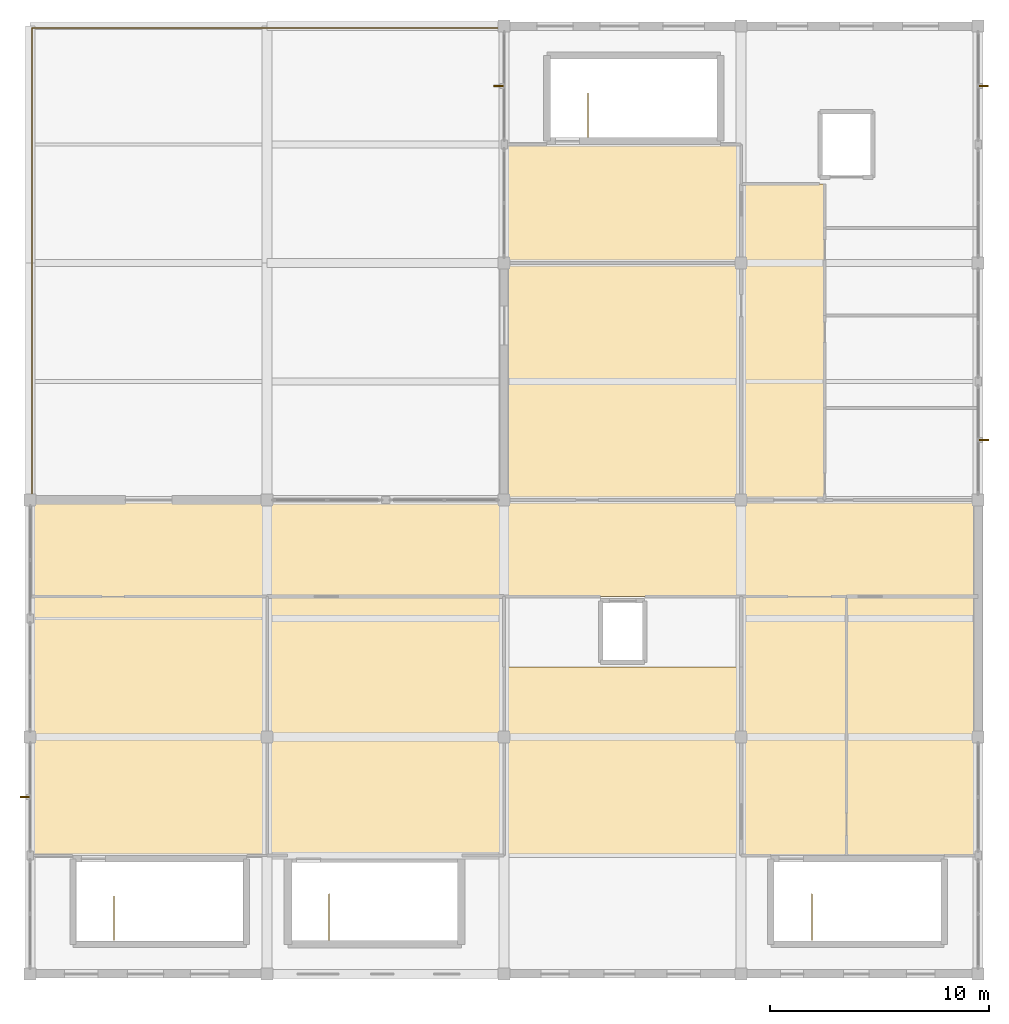
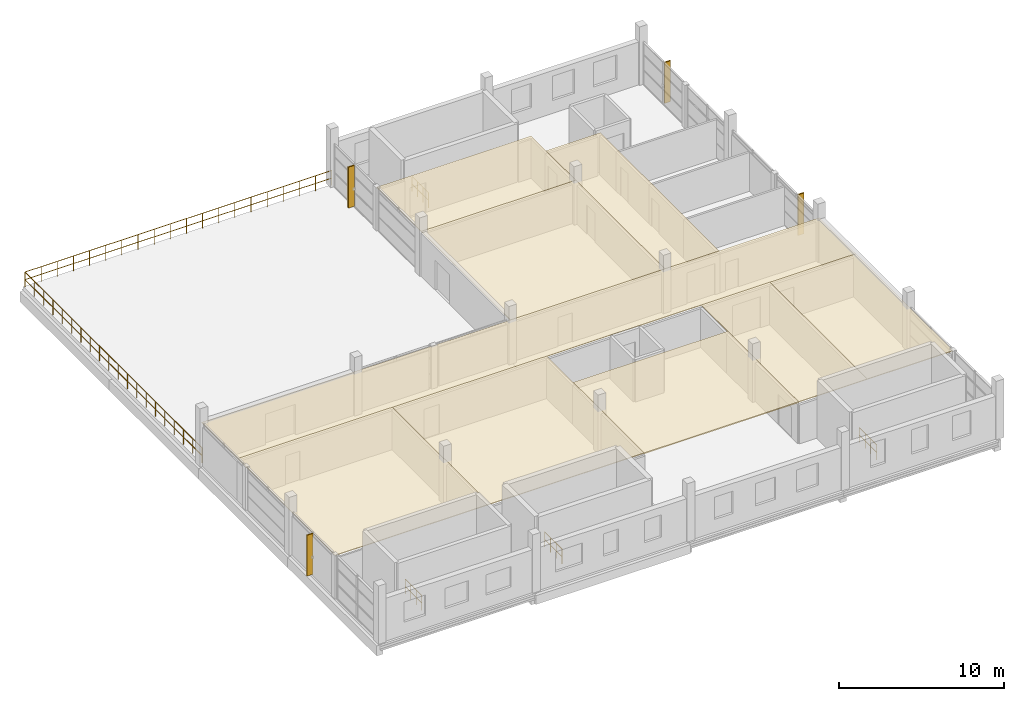
# One storey, part 15 of 15: 9 coverings, 5 railings, 4 shading devices.
"""IFC4 building model written with IfcOpenShell, lengths in metres."""

from ifc_helpers import new_model, si_unit, direction, frame, origin, origin_2d, place, context, subcontext, project, spatial, polyline, rectangle, circle, outline, extrude, material, layer, layer_set, type_object, element, save


model = new_model("IFC4")

# Units and contexts
model_context = context("Model", 3, precision=1e-05, world=origin(), true_north=direction((0.0, 1.0)))
body_context = subcontext(model_context, "Body", "Model", "MODEL_VIEW")
ifc_project = project(units=[si_unit("LENGTHUNIT", "METRE"), si_unit("AREAUNIT", "SQUARE_METRE"), si_unit("VOLUMEUNIT", "CUBIC_METRE"), si_unit("PLANEANGLEUNIT", "RADIAN"), si_unit("MASSUNIT", "GRAM", prefix="KILO")], contexts=[model_context])

# Site, building, storey
site_placement = place(None, origin())
site = spatial("IfcSite", under=ifc_project, at=site_placement, CompositionType="ELEMENT")
building_placement = place(site_placement, origin())
building = spatial("IfcBuilding", under=site, at=building_placement, Name="Zwinboog Wholesale Market", CompositionType="ELEMENT")
storey_placement = place(building_placement, frame((0.0, 0.0, 14.760009765625)))
storey = spatial("IfcBuildingStorey", under=building, at=storey_placement, Name="L03", CompositionType="ELEMENT", Elevation=14.760009765625)

# Shading devices
ifc_material_1 = material(Name="Western red cedar timber", Category="wood")
shading_device_type = type_object("IfcShadingDeviceType", Name="SHD-FIN-CEDAR", PredefinedType="USERDEFINED", material=ifc_material_1)
for number, where, z_axis, x_axis, name in (
    (1, (129.344970703125, 8.06494140625, 0.080078125), (0.0, 0.0, 1.0), (1.0, 0.0, 0.0), "FN-01 (SHD-FIN-047)"),
    (2, (150.945068359375, 40.465087890625, 0.080078125), (0.0, 0.0, 1.0), (1.0, 0.0, 0.0), "FN-01 (SHD-FIN-048)"),
    (3, (173.070068359375, 24.3349609375, 0.080078125), (0.0, 0.0, 1.0), (1.0, 0.0, 0.0), "FN-01 (SHD-FIN-049)"),
    (4, (173.054931640625, 40.465087890625, 0.080078125), (0.0, 0.0, 1.0), (1.0, 0.0, 0.0), "FN-01 (SHD-FIN-050)"),
):
    element("IfcShadingDevice", number, at=place(storey_placement, frame(where, z_axis=z_axis, x_axis=x_axis)), inside=storey, type_object=shading_device_type, Name=name, ObjectType="FIN", PredefinedType="USERDEFINED", context=body_context, shape_type="SweptSolid", body=[
        extrude(rectangle(XDim=0.419921875, YDim=0.0849609375, at=origin_2d()), origin(), (0.0, 0.0, 1.0), 3.02001953125),
    ])

# Railings
ifc_material_2 = material(Name="Steel S355", Category="steel")
railing_type_1 = type_object("IfcRailingType", Name="RLT-EXT-GUARD", PredefinedType="BALUSTRADE", material=ifc_material_2)
railing_1_placement = place(storey_placement, frame((129.679931640625, 21.679931640625, 0.0)))
element("IfcRailing", 5, at=railing_1_placement, inside=storey, type_object=railing_type_1, Name="GR-01 (RLG-EXT-10)", PredefinedType="BALUSTRADE", context=body_context, shape_type="SweptSolid", body=[
    extrude(circle(Radius=0.02392578125, at=origin_2d()), frame((0.0, 0.0, 1.09619140625), z_axis=(0.0, 1.0, 0.0), x_axis=(-1.0, 0.0, 0.0)), (0.0, 0.0, 1.0), 21.440185546875),
    extrude(circle(Radius=0.02392578125, at=origin_2d()), frame((0.0, 0.0, 0.5361328125), z_axis=(0.0, 1.0, 0.0), x_axis=(-1.0, 0.0, 0.0)), (0.0, 0.0, 1.0), 21.440185546875),
    extrude(circle(Radius=0.02392578125, at=origin_2d()), frame((0.0, 21.440185546875, 1.09619140625), z_axis=(1.0, 0.0, 0.0), x_axis=(0.0, 1.0, 0.0)), (0.0, 0.0, 1.0), 21.440185546875),
    extrude(circle(Radius=0.02392578125, at=origin_2d()), frame((0.0, 21.440185546875, 0.5361328125), z_axis=(1.0, 0.0, 0.0), x_axis=(0.0, 1.0, 0.0)), (0.0, 0.0, 1.0), 21.440185546875),
    extrude(circle(Radius=0.02099609375, at=origin_2d()), origin(), (0.0, 0.0, 1.0), 1.072021484375),
    extrude(circle(Radius=0.02099609375, at=origin_2d()), frame((0.0, 1.12841796875, 0.0)), (0.0, 0.0, 1.0), 1.072021484375),
    extrude(circle(Radius=0.02099609375, at=origin_2d()), frame((0.0, 2.2568359375, 0.0)), (0.0, 0.0, 1.0), 1.072021484375),
    extrude(circle(Radius=0.02099609375, at=origin_2d()), frame((0.0, 3.38525390625, 0.0)), (0.0, 0.0, 1.0), 1.072021484375),
    extrude(circle(Radius=0.02099609375, at=origin_2d()), frame((0.0, 4.513671875, 0.0)), (0.0, 0.0, 1.0), 1.072021484375),
    extrude(circle(Radius=0.02099609375, at=origin_2d()), frame((0.0, 5.64208984375, 0.0)), (0.0, 0.0, 1.0), 1.072021484375),
    extrude(circle(Radius=0.02099609375, at=origin_2d()), frame((0.0, 6.7705078125, 0.0)), (0.0, 0.0, 1.0), 1.072021484375),
    extrude(circle(Radius=0.02099609375, at=origin_2d()), frame((0.0, 7.89892578125, 0.0)), (0.0, 0.0, 1.0), 1.072021484375),
    extrude(circle(Radius=0.02099609375, at=origin_2d()), frame((0.0, 9.02734375, 0.0)), (0.0, 0.0, 1.0), 1.072021484375),
    extrude(circle(Radius=0.02099609375, at=origin_2d()), frame((0.0, 10.15576171875, 0.0)), (0.0, 0.0, 1.0), 1.072021484375),
    extrude(circle(Radius=0.02099609375, at=origin_2d()), frame((0.0, 11.284423828125, 0.0)), (0.0, 0.0, 1.0), 1.072021484375),
    extrude(circle(Radius=0.02099609375, at=origin_2d()), frame((0.0, 12.412841796875, 0.0)), (0.0, 0.0, 1.0), 1.072021484375),
    extrude(circle(Radius=0.02099609375, at=origin_2d()), frame((0.0, 13.541259765625, 0.0)), (0.0, 0.0, 1.0), 1.072021484375),
    extrude(circle(Radius=0.02099609375, at=origin_2d()), frame((0.0, 14.669677734375, 0.0)), (0.0, 0.0, 1.0), 1.072021484375),
    extrude(circle(Radius=0.02099609375, at=origin_2d()), frame((0.0, 15.798095703125, 0.0)), (0.0, 0.0, 1.0), 1.072021484375),
    extrude(circle(Radius=0.02099609375, at=origin_2d()), frame((0.0, 16.926513671875, 0.0)), (0.0, 0.0, 1.0), 1.072021484375),
    extrude(circle(Radius=0.02099609375, at=origin_2d()), frame((0.0, 18.054931640625, 0.0)), (0.0, 0.0, 1.0), 1.072021484375),
    extrude(circle(Radius=0.02099609375, at=origin_2d()), frame((0.0, 19.183349609375, 0.0)), (0.0, 0.0, 1.0), 1.072021484375),
    extrude(circle(Radius=0.02099609375, at=origin_2d()), frame((0.0, 20.311767578125, 0.0)), (0.0, 0.0, 1.0), 1.072021484375),
    extrude(circle(Radius=0.02099609375, at=origin_2d()), frame((0.0, 21.440185546875, 0.0)), (0.0, 0.0, 1.0), 1.072021484375),
    extrude(circle(Radius=0.02099609375, at=origin_2d()), frame((1.12841796875, 21.440185546875, 0.0)), (0.0, 0.0, 1.0), 1.072021484375),
    extrude(circle(Radius=0.02099609375, at=origin_2d()), frame((2.2568359375, 21.440185546875, 0.0)), (0.0, 0.0, 1.0), 1.072021484375),
    extrude(circle(Radius=0.02099609375, at=origin_2d()), frame((3.38525390625, 21.440185546875, 0.0)), (0.0, 0.0, 1.0), 1.072021484375),
    extrude(circle(Radius=0.02099609375, at=origin_2d()), frame((4.513671875, 21.440185546875, 0.0)), (0.0, 0.0, 1.0), 1.072021484375),
    extrude(circle(Radius=0.02099609375, at=origin_2d()), frame((5.64208984375, 21.440185546875, 0.0)), (0.0, 0.0, 1.0), 1.072021484375),
    extrude(circle(Radius=0.02099609375, at=origin_2d()), frame((6.7705078125, 21.440185546875, 0.0)), (0.0, 0.0, 1.0), 1.072021484375),
    extrude(circle(Radius=0.02099609375, at=origin_2d()), frame((7.89892578125, 21.440185546875, 0.0)), (0.0, 0.0, 1.0), 1.072021484375),
    extrude(circle(Radius=0.02099609375, at=origin_2d()), frame((9.02734375, 21.440185546875, 0.0)), (0.0, 0.0, 1.0), 1.072021484375),
    extrude(circle(Radius=0.02099609375, at=origin_2d()), frame((10.15576171875, 21.440185546875, 0.0)), (0.0, 0.0, 1.0), 1.072021484375),
    extrude(circle(Radius=0.02099609375, at=origin_2d()), frame((11.284423828125, 21.440185546875, 0.0)), (0.0, 0.0, 1.0), 1.072021484375),
    extrude(circle(Radius=0.02099609375, at=origin_2d()), frame((12.412841796875, 21.440185546875, 0.0)), (0.0, 0.0, 1.0), 1.072021484375),
    extrude(circle(Radius=0.02099609375, at=origin_2d()), frame((13.541259765625, 21.440185546875, 0.0)), (0.0, 0.0, 1.0), 1.072021484375),
    extrude(circle(Radius=0.02099609375, at=origin_2d()), frame((14.669677734375, 21.440185546875, 0.0)), (0.0, 0.0, 1.0), 1.072021484375),
    extrude(circle(Radius=0.02099609375, at=origin_2d()), frame((15.798095703125, 21.440185546875, 0.0)), (0.0, 0.0, 1.0), 1.072021484375),
    extrude(circle(Radius=0.02099609375, at=origin_2d()), frame((16.926513671875, 21.440185546875, 0.0)), (0.0, 0.0, 1.0), 1.072021484375),
    extrude(circle(Radius=0.02099609375, at=origin_2d()), frame((18.054931640625, 21.440185546875, 0.0)), (0.0, 0.0, 1.0), 1.072021484375),
    extrude(circle(Radius=0.02099609375, at=origin_2d()), frame((19.183349609375, 21.440185546875, 0.0)), (0.0, 0.0, 1.0), 1.072021484375),
    extrude(circle(Radius=0.02099609375, at=origin_2d()), frame((20.311767578125, 21.440185546875, 0.0)), (0.0, 0.0, 1.0), 1.072021484375),
    extrude(circle(Radius=0.02099609375, at=origin_2d()), frame((21.440185546875, 21.440185546875, 0.0)), (0.0, 0.0, 1.0), 1.072021484375),
])
railing_type_2 = type_object("IfcRailingType", Name="RLT-INT-GUARD", PredefinedType="BALUSTRADE", material=ifc_material_2)
railing_2_placement = place(storey_placement, frame((133.419921875, 3.5400390625, 0.0)))
element("IfcRailing", 6, at=railing_2_placement, inside=storey, type_object=railing_type_2, Name="GR-02 (RLG-ST-10C-GTOP)", PredefinedType="BALUSTRADE", context=body_context, shape_type="SweptSolid", body=[
    extrude(circle(Radius=0.02392578125, at=origin_2d()), frame((0.0, 0.0, 1.09619140625), z_axis=(0.0, -1.0, 0.0), x_axis=(1.0, 0.0, 0.0)), (0.0, 0.0, 1.0), 2.0),
    extrude(circle(Radius=0.02392578125, at=origin_2d()), frame((0.0, 0.0, 0.5361328125), z_axis=(0.0, -1.0, 0.0), x_axis=(1.0, 0.0, 0.0)), (0.0, 0.0, 1.0), 2.0),
    extrude(circle(Radius=0.02099609375, at=origin_2d()), origin(), (0.0, 0.0, 1.0), 1.072021484375),
    extrude(circle(Radius=0.02099609375, at=origin_2d()), frame((0.0, -0.666748046875, 0.0)), (0.0, 0.0, 1.0), 1.072021484375),
    extrude(circle(Radius=0.02099609375, at=origin_2d()), frame((0.0, -1.333251953125, 0.0)), (0.0, 0.0, 1.0), 1.072021484375),
    extrude(circle(Radius=0.02099609375, at=origin_2d()), frame((0.0, -2.0, 0.0)), (0.0, 0.0, 1.0), 1.072021484375),
])
railing_3_placement = place(storey_placement, frame((165.219970703125, 3.639892578125, 0.0)))
element("IfcRailing", 7, at=railing_3_placement, inside=storey, type_object=railing_type_2, Name="GR-02 (RLG-ST-11C-GTOP)", PredefinedType="BALUSTRADE", context=body_context, shape_type="SweptSolid", body=[
    extrude(circle(Radius=0.02392578125, at=origin_2d()), frame((0.0, 0.0, 1.09619140625), z_axis=(0.0, -1.0, 0.0), x_axis=(1.0, 0.0, 0.0)), (0.0, 0.0, 1.0), 2.099853515625),
    extrude(circle(Radius=0.02392578125, at=origin_2d()), frame((0.0, 0.0, 0.5361328125), z_axis=(0.0, -1.0, 0.0), x_axis=(1.0, 0.0, 0.0)), (0.0, 0.0, 1.0), 2.099853515625),
    extrude(circle(Radius=0.02099609375, at=origin_2d()), origin(), (0.0, 0.0, 1.0), 1.072021484375),
    extrude(circle(Radius=0.02099609375, at=origin_2d()), frame((0.0, -0.699951171875, 0.0)), (0.0, 0.0, 1.0), 1.072021484375),
    extrude(circle(Radius=0.02099609375, at=origin_2d()), frame((0.0, -1.39990234375, 0.0)), (0.0, 0.0, 1.0), 1.072021484375),
    extrude(circle(Radius=0.02099609375, at=origin_2d()), frame((0.0, -2.099853515625, 0.0)), (0.0, 0.0, 1.0), 1.072021484375),
])
railing_4_placement = place(storey_placement, frame((155.02001953125, 40.139892578125, 0.0)))
element("IfcRailing", 8, at=railing_4_placement, inside=storey, type_object=railing_type_2, Name="GR-02 (RLG-ST-12C-GTOP)", PredefinedType="BALUSTRADE", context=body_context, shape_type="SweptSolid", body=[
    extrude(circle(Radius=0.02392578125, at=origin_2d()), frame((0.0, 0.0, 1.09619140625), z_axis=(0.0, -1.0, 0.0), x_axis=(1.0, 0.0, 0.0)), (0.0, 0.0, 1.0), 2.0),
    extrude(circle(Radius=0.02392578125, at=origin_2d()), frame((0.0, 0.0, 0.5361328125), z_axis=(0.0, -1.0, 0.0), x_axis=(1.0, 0.0, 0.0)), (0.0, 0.0, 1.0), 2.0),
    extrude(circle(Radius=0.02099609375, at=origin_2d()), origin(), (0.0, 0.0, 1.0), 1.072021484375),
    extrude(circle(Radius=0.02099609375, at=origin_2d()), frame((0.0, -0.666748046875, 0.0)), (0.0, 0.0, 1.0), 1.072021484375),
    extrude(circle(Radius=0.02099609375, at=origin_2d()), frame((0.0, -1.333251953125, 0.0)), (0.0, 0.0, 1.0), 1.072021484375),
    extrude(circle(Radius=0.02099609375, at=origin_2d()), frame((0.0, -2.0, 0.0)), (0.0, 0.0, 1.0), 1.072021484375),
])
railing_5_placement = place(storey_placement, frame((143.219970703125, 3.639892578125, 0.0)))
element("IfcRailing", 9, at=railing_5_placement, inside=storey, type_object=railing_type_2, Name="GR-02 (RLG-ST-13C-GTOP)", PredefinedType="BALUSTRADE", context=body_context, shape_type="SweptSolid", body=[
    extrude(circle(Radius=0.02392578125, at=origin_2d()), frame((0.0, 0.0, 1.09619140625), z_axis=(0.0, -1.0, 0.0), x_axis=(1.0, 0.0, 0.0)), (0.0, 0.0, 1.0), 2.099853515625),
    extrude(circle(Radius=0.02392578125, at=origin_2d()), frame((0.0, 0.0, 0.5361328125), z_axis=(0.0, -1.0, 0.0), x_axis=(1.0, 0.0, 0.0)), (0.0, 0.0, 1.0), 2.099853515625),
    extrude(circle(Radius=0.02099609375, at=origin_2d()), origin(), (0.0, 0.0, 1.0), 1.072021484375),
    extrude(circle(Radius=0.02099609375, at=origin_2d()), frame((0.0, -0.699951171875, 0.0)), (0.0, 0.0, 1.0), 1.072021484375),
    extrude(circle(Radius=0.02099609375, at=origin_2d()), frame((0.0, -1.39990234375, 0.0)), (0.0, 0.0, 1.0), 1.072021484375),
    extrude(circle(Radius=0.02099609375, at=origin_2d()), frame((0.0, -2.099853515625, 0.0)), (0.0, 0.0, 1.0), 1.072021484375),
])

# Coverings
ifc_material_3 = material(Name="Western red cedar acoustic baffle ceiling", Category="wood")
ifc_layer_1 = layer(ifc_material_3, 0.080078125)
ifc_layer_set_1 = layer_set([ifc_layer_1], Name="Western red cedar acoustic baffle ceiling")
covering_type_1 = type_object("IfcCoveringType", Name="COV-CEIL-CEDAR", PredefinedType="CEILING", material=ifc_layer_set_1)
covering_1_placement = place(storey_placement, frame((0.0, 0.0, 2.989990234375)))
element("IfcCovering", 10, at=covering_1_placement, inside=storey, type_object=covering_type_1, Name="CL-01 (COV-CL-L03-052)", PredefinedType="CEILING", context=body_context, shape_type="SweptSolid", body=[
    extrude(outline(polyline([(151.199951171875, 5.39990234375), (162.0, 5.39990234375), (162.0, 14.0), (151.199951171875, 14.0), (151.199951171875, 5.39990234375)])), origin(), (0.0, 0.0, 1.0), 0.080078125),
])
ifc_material_4 = material(Name="Hygienic washable acoustic gypsum ceiling")
ifc_layer_2 = layer(ifc_material_4, 0.050048828125)
ifc_layer_set_2 = layer_set([ifc_layer_2], Name="Hygienic washable acoustic gypsum ceiling")
covering_type_2 = type_object("IfcCoveringType", Name="COV-CEIL-HYG", PredefinedType="CEILING", material=ifc_layer_set_2)
covering_2_placement = place(storey_placement, frame((0.0, 0.0, 3.02001953125)))
element("IfcCovering", 11, at=covering_2_placement, inside=storey, type_object=covering_type_2, Name="CL-02 (COV-CL-L03-048)", PredefinedType="CEILING", context=body_context, shape_type="SweptSolid", body=[
    extrude(outline(polyline([(129.60009765625, 17.199951171875), (172.800048828125, 17.199951171875), (172.800048828125, 21.60009765625), (129.60009765625, 21.60009765625), (129.60009765625, 17.199951171875)])), origin(), (0.0, 0.0, 1.0), 0.050048828125),
])
covering_3_placement = place(storey_placement, frame((0.0, 0.0, 3.02001953125)))
element("IfcCovering", 12, at=covering_3_placement, inside=storey, type_object=covering_type_2, Name="CL-02 (COV-CL-L03-049)", PredefinedType="CEILING", context=body_context, shape_type="SweptSolid", body=[
    extrude(outline(polyline([(162.0, 5.39990234375), (166.800048828125, 5.39990234375), (166.800048828125, 17.199951171875), (162.0, 17.199951171875), (162.0, 5.39990234375)])), origin(), (0.0, 0.0, 1.0), 0.050048828125),
])
covering_4_placement = place(storey_placement, frame((0.0, 0.0, 3.02001953125)))
element("IfcCovering", 13, at=covering_4_placement, inside=storey, type_object=covering_type_2, Name="CL-02 (COV-CL-L03-050)", PredefinedType="CEILING", context=body_context, shape_type="SweptSolid", body=[
    extrude(outline(polyline([(129.60009765625, 5.39990234375), (140.39990234375, 5.39990234375), (140.39990234375, 17.199951171875), (129.60009765625, 17.199951171875), (129.60009765625, 5.39990234375)])), origin(), (0.0, 0.0, 1.0), 0.050048828125),
])
covering_5_placement = place(storey_placement, frame((0.0, 0.0, 3.02001953125)))
element("IfcCovering", 14, at=covering_5_placement, inside=storey, type_object=covering_type_2, Name="CL-02 (COV-CL-L03-051)", PredefinedType="CEILING", context=body_context, shape_type="SweptSolid", body=[
    extrude(outline(polyline([(140.39990234375, 5.39990234375), (151.199951171875, 5.39990234375), (151.199951171875, 17.199951171875), (140.39990234375, 17.199951171875), (140.39990234375, 5.39990234375)])), origin(), (0.0, 0.0, 1.0), 0.050048828125),
])
covering_6_placement = place(storey_placement, frame((0.0, 0.0, 3.02001953125)))
element("IfcCovering", 15, at=covering_6_placement, inside=storey, type_object=covering_type_2, Name="CL-02 (COV-CL-L03-053)", PredefinedType="CEILING", context=body_context, shape_type="SweptSolid", body=[
    extrude(outline(polyline([(166.800048828125, 5.39990234375), (172.800048828125, 5.39990234375), (172.800048828125, 17.199951171875), (166.800048828125, 17.199951171875), (166.800048828125, 5.39990234375)])), origin(), (0.0, 0.0, 1.0), 0.050048828125),
])
covering_7_placement = place(storey_placement, frame((0.0, 0.0, 3.02001953125)))
element("IfcCovering", 16, at=covering_7_placement, inside=storey, type_object=covering_type_2, Name="CL-02 (COV-CL-L03-054)", PredefinedType="CEILING", context=body_context, shape_type="SweptSolid", body=[
    extrude(outline(polyline([(151.199951171875, 21.60009765625), (162.0, 21.60009765625), (162.0, 32.39990234375), (151.199951171875, 32.39990234375), (151.199951171875, 21.60009765625)])), origin(), (0.0, 0.0, 1.0), 0.050048828125),
])
covering_8_placement = place(storey_placement, frame((0.0, 0.0, 3.02001953125)))
element("IfcCovering", 17, at=covering_8_placement, inside=storey, type_object=covering_type_2, Name="CL-02 (COV-CL-L03-055)", PredefinedType="CEILING", context=body_context, shape_type="SweptSolid", body=[
    extrude(outline(polyline([(162.0, 21.60009765625), (165.800048828125, 21.60009765625), (165.800048828125, 36.0), (162.0, 36.0), (162.0, 21.60009765625)])), origin(), (0.0, 0.0, 1.0), 0.050048828125),
])
covering_9_placement = place(storey_placement, frame((0.0, 0.0, 3.02001953125)))
element("IfcCovering", 18, at=covering_9_placement, inside=storey, type_object=covering_type_2, Name="CL-02 (COV-CL-L03-056)", PredefinedType="CEILING", context=body_context, shape_type="SweptSolid", body=[
    extrude(outline(polyline([(151.199951171875, 32.39990234375), (162.0, 32.39990234375), (162.0, 37.800048828125), (151.199951171875, 37.800048828125), (151.199951171875, 32.39990234375)])), origin(), (0.0, 0.0, 1.0), 0.050048828125),
])

save(model, "model.ifc")
